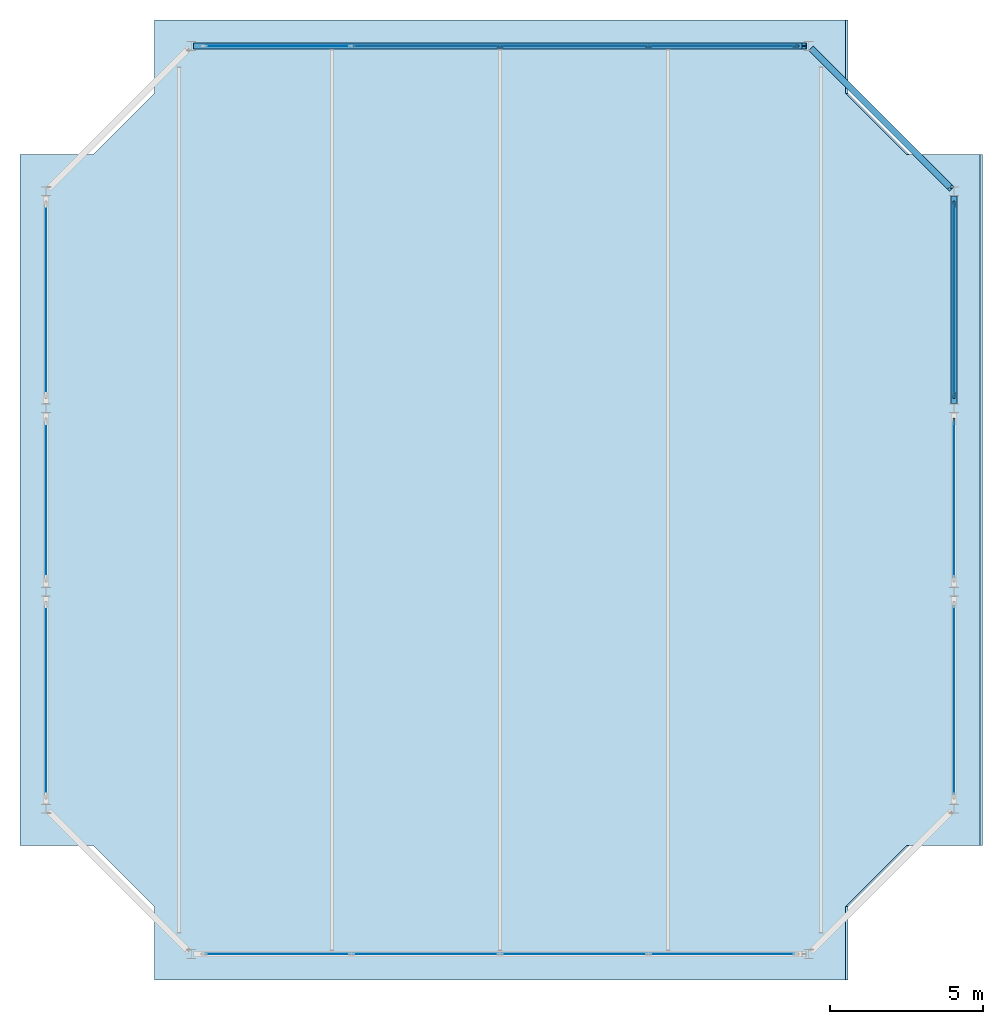
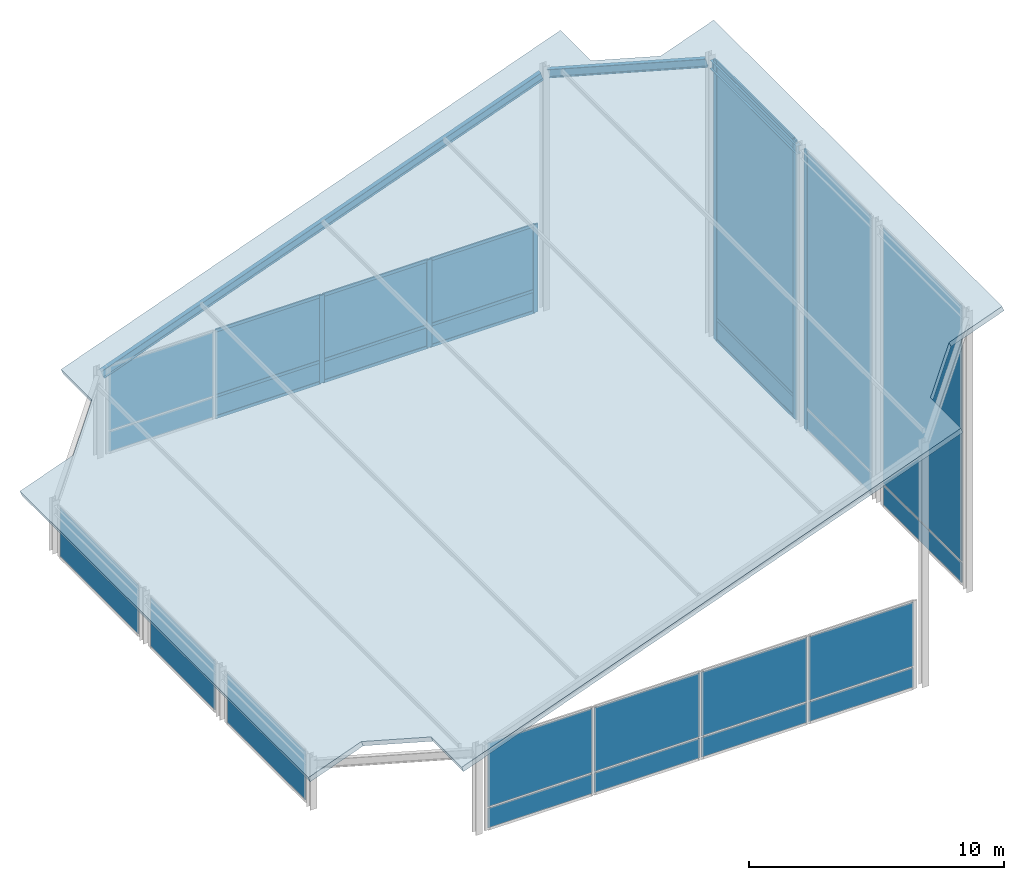
# One storey, part 4 of 8: 25 plates, 18 members, 3 beams, 1 slab, 8 elements without a shape of their own.
"""IFC4 building model written with IfcOpenShell, lengths in metres."""

from ifc_helpers import new_model, si_unit, direction, frame, origin, origin_2d, place, context, subcontext, project, spatial, polyline, rectangle, i_section, outline, extrude, source, transform, mapped, material, layer, layer_set, material_profile, profile_set, type_object, element, aggregate, save


model = new_model("IFC4")

# Units and contexts
model_context = context("Model", 3, precision=1e-05, world=origin(), true_north=direction((0.0, 1.0)))
body_context = subcontext(model_context, "Body", "Model", "MODEL_VIEW")
ifc_project = project(units=[si_unit("LENGTHUNIT", "METRE"), si_unit("AREAUNIT", "SQUARE_METRE"), si_unit("VOLUMEUNIT", "CUBIC_METRE"), si_unit("PLANEANGLEUNIT", "RADIAN"), si_unit("MASSUNIT", "GRAM", prefix="KILO"), si_unit("THERMODYNAMICTEMPERATUREUNIT", "KELVIN"), si_unit("POWERUNIT", "WATT")], contexts=[model_context])

# Site, building, storey
site_placement = place(None, origin())
site = spatial("IfcSite", under=ifc_project, at=site_placement, CompositionType="ELEMENT")
building_placement = place(site_placement, origin())
building = spatial("IfcBuilding", under=site, at=building_placement, Name="Qiaomeng Ring Towers", CompositionType="ELEMENT")
storey_placement = place(building_placement, frame((0.0, 0.0, 267.75)))
storey = spatial("IfcBuildingStorey", under=building, at=storey_placement, Name="Roof", CompositionType="ELEMENT", Elevation=267.75)

# Beams
ifc_material_1 = material(Name="Steel Q355B", Category="steel")
ifc_material_profile_1 = material_profile(ifc_material_1, i_section(OverallWidth=0.199951171875, OverallDepth=0.39990234375, WebThickness=0.008056640625, FlangeThickness=0.012939453125, FilletRadius=0.01611328125, at=origin_2d()), Name="HN 400x200x8x13")
ifc_profile_set_1 = profile_set([ifc_material_profile_1], Name="Steel Q355B")
beam_type = type_object("IfcBeamType", Name="STR-BM-HN400", PredefinedType="SPANDREL", material=ifc_profile_set_1)
shared_shape_1 = source(origin(), body_context, "Body", "SweptSolid", [
    extrude(i_section(OverallWidth=0.199951171875, OverallDepth=0.39990234375, WebThickness=0.008056640625, FlangeThickness=0.012939453125, FilletRadius=0.01611328125, at=origin_2d()), origin(), (0.0, 0.0, 1.0), 21.2041015625),
])
beam_1_placement = place(storey_placement, frame((28.949951171875, 37.85009765625, 11.227294921875), z_axis=(-0.938492428183, 0.0, -0.345299815007), x_axis=(0.0, -1.0, 0.0)))
element("IfcBeam", 1, at=beam_1_placement, inside=storey, type_object=beam_type, Name="Crown Slanted Cap Beam 7", PredefinedType="SPANDREL", context=body_context, shape_type="MappedRepresentation", body=[
    mapped(shared_shape_1, transform((0.0, 0.0, 0.0), x_axis=(1.0, 0.0, 0.0), y_axis=(0.0, 1.0, 0.0), z_axis=(0.0, 0.0, 1.0), scale=1.0)),
])
shared_shape_2 = source(origin(), body_context, "Body", "SweptSolid", [
    extrude(i_section(OverallWidth=0.199951171875, OverallDepth=0.39990234375, WebThickness=0.008056640625, FlangeThickness=0.012939453125, FilletRadius=0.01611328125, at=origin_2d()), origin(), (0.0, 0.0, 1.0), 6.631103515625),
])
beam_2_placement = place(storey_placement, frame((33.743896484375, 33.2060546875, 12.9912109375), z_axis=(-0.684324409038, 0.684324409038, -0.251793976081), x_axis=(-0.707106781187, -0.707106781187, 0.0)))
element("IfcBeam", 2, at=beam_2_placement, inside=storey, type_object=beam_type, Name="Crown Slanted Cap Beam 6", PredefinedType="SPANDREL", context=body_context, shape_type="MappedRepresentation", body=[
    mapped(shared_shape_2, transform((0.0, 0.0, 0.0), x_axis=(1.0, 0.0, 0.0), y_axis=(0.0, 1.0, 0.0), z_axis=(0.0, 0.0, 1.0), scale=1.0)),
])
shared_shape_3 = source(origin(), body_context, "Body", "SweptSolid", [
    extrude(i_section(OverallWidth=0.199951171875, OverallDepth=0.39990234375, WebThickness=0.008056640625, FlangeThickness=0.012939453125, FilletRadius=0.01611328125, at=origin_2d()), origin(), (0.0, 0.0, 1.0), 6.800048828125),
])
beam_3_placement = place(storey_placement, frame((33.85009765625, 26.14990234375, 13.0302734375), z_axis=(0.0, 1.0, 0.0), x_axis=(-1.0, 0.0, 0.0)))
element("IfcBeam", 3, at=beam_3_placement, inside=storey, type_object=beam_type, Name="Crown Slanted Cap Beam 5", PredefinedType="SPANDREL", context=body_context, shape_type="MappedRepresentation", body=[
    mapped(shared_shape_3, transform((0.0, 0.0, 0.0), x_axis=(1.0, 0.0, 0.0), y_axis=(0.0, 1.0, 0.0), z_axis=(0.0, 0.0, 1.0), scale=1.0)),
])

# Curtain wall, members
ifc_material_2 = material(Name="Fluorocarbon dark-grey aluminium", Category="aluminium")
ifc_layer_1 = layer(ifc_material_2, 0.169921875, Name="Fluorocarbon dark-grey aluminium")
ifc_layer_set_1 = layer_set([ifc_layer_1], Name="Fluorocarbon dark-grey aluminium")
curtain_wall_type = type_object("IfcCurtainWallType", Name="ARC-CW-6", PredefinedType="NOTDEFINED", material=ifc_layer_set_1)
curtain_wall_1_placement = place(storey_placement, origin())
curtain_wall_1 = element("IfcCurtainWall", 4, at=curtain_wall_1_placement, inside=storey, type_object=curtain_wall_type, Name="Roof Curtain Wall CW6", PredefinedType="NOTDEFINED")
ifc_material_profile_2 = material_profile(ifc_material_2, rectangle(XDim=0.080078125, YDim=0.219970703125, at=origin_2d()), Name="ALU MULL 80x220")
ifc_profile_set_2 = profile_set([ifc_material_profile_2], Name="Fluorocarbon dark-grey aluminium")
member_type_1 = type_object("IfcMemberType", Name="ARC-CWM-180", PredefinedType="MULLION", material=ifc_profile_set_2)
shared_shape_4 = source(origin(), body_context, "Body", "SweptSolid", [
    extrude(rectangle(XDim=0.080078125, YDim=0.219970703125, at=origin_2d()), origin(), (0.0, 0.0, 1.0), 4.21044921875),
])
member_1_placement = place(storey_placement, frame((28.669921875, 37.85009765625, 0.0), z_axis=(0.0, 0.0, 1.0), x_axis=(0.0, -1.0, 0.0)))
member_1 = element("IfcMember", 5, at=member_1_placement, type_object=member_type_1, Name="CW6 mullion 1", PredefinedType="MULLION", context=body_context, shape_type="MappedRepresentation", body=[
    mapped(shared_shape_4, transform((0.0, 0.0, 0.0), x_axis=(1.0, 0.0, 0.0), y_axis=(0.0, 1.0, 0.0), z_axis=(0.0, 0.0, 1.0), scale=1.0)),
])
member_2_placement = place(storey_placement, frame((23.85498046875, 37.85009765625, 0.0), z_axis=(0.0, 0.0, 1.0), x_axis=(0.0, -1.0, 0.0)))
member_2 = element("IfcMember", 6, at=member_2_placement, type_object=member_type_1, Name="CW6 mullion 2", PredefinedType="MULLION", context=body_context, shape_type="MappedRepresentation", body=[
    mapped(shared_shape_4, transform((0.0, 0.0, 0.0), x_axis=(1.0, 0.0, 0.0), y_axis=(0.0, 1.0, 0.0), z_axis=(0.0, 0.0, 1.0), scale=1.0)),
])
member_3_placement = place(storey_placement, frame((19.0, 37.85009765625, 0.0), z_axis=(0.0, 0.0, 1.0), x_axis=(0.0, -1.0, 0.0)))
member_3 = element("IfcMember", 7, at=member_3_placement, type_object=member_type_1, Name="CW6 mullion 3", PredefinedType="MULLION", context=body_context, shape_type="MappedRepresentation", body=[
    mapped(shared_shape_4, transform((0.0, 0.0, 0.0), x_axis=(1.0, 0.0, 0.0), y_axis=(0.0, 1.0, 0.0), z_axis=(0.0, 0.0, 1.0), scale=1.0)),
])
ifc_material_profile_3 = material_profile(ifc_material_2, rectangle(XDim=0.070068359375, YDim=0.139892578125, at=origin_2d()), Name="ALU TRAN 70x140")
ifc_profile_set_3 = profile_set([ifc_material_profile_3], Name="Fluorocarbon dark-grey aluminium")
member_type_2 = type_object("IfcMemberType", Name="ARC-CWT-140", PredefinedType="USERDEFINED", material=ifc_profile_set_3)
shared_shape_5 = source(origin(), body_context, "Body", "SweptSolid", [
    extrude(rectangle(XDim=0.070068359375, YDim=0.139892578125, at=origin_2d()), origin(), (0.0, 0.0, 1.0), 4.73486328125),
])
member_4_placement = place(storey_placement, frame((28.6298828125, 37.85009765625, 0.034912109375), z_axis=(-1.0, 0.0, 0.0), x_axis=(0.0, -1.0, 0.0)))
member_4 = element("IfcMember", 8, at=member_4_placement, type_object=member_type_2, Name="CW6 transom 1.1", ObjectType="TRANSOM", PredefinedType="USERDEFINED", context=body_context, shape_type="MappedRepresentation", body=[
    mapped(shared_shape_5, transform((0.0, 0.0, 0.0), x_axis=(1.0, 0.0, 0.0), y_axis=(0.0, 1.0, 0.0), z_axis=(0.0, 0.0, 1.0), scale=1.0)),
])
member_5_placement = place(storey_placement, frame((28.6298828125, 37.85009765625, 1.050048828125), z_axis=(-1.0, 0.0, 0.0), x_axis=(0.0, -1.0, 0.0)))
member_5 = element("IfcMember", 9, at=member_5_placement, type_object=member_type_2, Name="CW6 transom 1.2", ObjectType="TRANSOM", PredefinedType="USERDEFINED", context=body_context, shape_type="MappedRepresentation", body=[
    mapped(shared_shape_5, transform((0.0, 0.0, 0.0), x_axis=(1.0, 0.0, 0.0), y_axis=(0.0, 1.0, 0.0), z_axis=(0.0, 0.0, 1.0), scale=1.0)),
])
member_6_placement = place(storey_placement, frame((28.6298828125, 37.85009765625, 4.17529296875), z_axis=(-1.0, 0.0, 0.0), x_axis=(0.0, -1.0, 0.0)))
member_6 = element("IfcMember", 10, at=member_6_placement, type_object=member_type_2, Name="CW6 transom 1.3", ObjectType="TRANSOM", PredefinedType="USERDEFINED", context=body_context, shape_type="MappedRepresentation", body=[
    mapped(shared_shape_5, transform((0.0, 0.0, 0.0), x_axis=(1.0, 0.0, 0.0), y_axis=(0.0, 1.0, 0.0), z_axis=(0.0, 0.0, 1.0), scale=1.0)),
])
shared_shape_6 = source(origin(), body_context, "Body", "SweptSolid", [
    extrude(rectangle(XDim=0.070068359375, YDim=0.139892578125, at=origin_2d()), origin(), (0.0, 0.0, 1.0), 4.77490234375),
])
member_7_placement = place(storey_placement, frame((23.81494140625, 37.85009765625, 0.034912109375), z_axis=(-1.0, 0.0, 0.0), x_axis=(0.0, -1.0, 0.0)))
member_7 = element("IfcMember", 11, at=member_7_placement, type_object=member_type_2, Name="CW6 transom 2.1", ObjectType="TRANSOM", PredefinedType="USERDEFINED", context=body_context, shape_type="MappedRepresentation", body=[
    mapped(shared_shape_6, transform((0.0, 0.0, 0.0), x_axis=(1.0, 0.0, 0.0), y_axis=(0.0, 1.0, 0.0), z_axis=(0.0, 0.0, 1.0), scale=1.0)),
])
member_8_placement = place(storey_placement, frame((23.81494140625, 37.85009765625, 1.050048828125), z_axis=(-1.0, 0.0, 0.0), x_axis=(0.0, -1.0, 0.0)))
member_8 = element("IfcMember", 12, at=member_8_placement, type_object=member_type_2, Name="CW6 transom 2.2", ObjectType="TRANSOM", PredefinedType="USERDEFINED", context=body_context, shape_type="MappedRepresentation", body=[
    mapped(shared_shape_6, transform((0.0, 0.0, 0.0), x_axis=(1.0, 0.0, 0.0), y_axis=(0.0, 1.0, 0.0), z_axis=(0.0, 0.0, 1.0), scale=1.0)),
])
member_9_placement = place(storey_placement, frame((23.81494140625, 37.85009765625, 4.17529296875), z_axis=(-1.0, 0.0, 0.0), x_axis=(0.0, -1.0, 0.0)))
member_9 = element("IfcMember", 13, at=member_9_placement, type_object=member_type_2, Name="CW6 transom 2.3", ObjectType="TRANSOM", PredefinedType="USERDEFINED", context=body_context, shape_type="MappedRepresentation", body=[
    mapped(shared_shape_6, transform((0.0, 0.0, 0.0), x_axis=(1.0, 0.0, 0.0), y_axis=(0.0, 1.0, 0.0), z_axis=(0.0, 0.0, 1.0), scale=1.0)),
])
member_10_placement = place(storey_placement, frame((18.9599609375, 37.85009765625, 0.034912109375), z_axis=(-1.0, 0.0, 0.0), x_axis=(0.0, -1.0, 0.0)))
member_10 = element("IfcMember", 14, at=member_10_placement, type_object=member_type_2, Name="CW6 transom 3.1", ObjectType="TRANSOM", PredefinedType="USERDEFINED", context=body_context, shape_type="MappedRepresentation", body=[
    mapped(shared_shape_6, transform((0.0, 0.0, 0.0), x_axis=(1.0, 0.0, 0.0), y_axis=(0.0, 1.0, 0.0), z_axis=(0.0, 0.0, 1.0), scale=1.0)),
])
member_11_placement = place(storey_placement, frame((18.9599609375, 37.85009765625, 1.050048828125), z_axis=(-1.0, 0.0, 0.0), x_axis=(0.0, -1.0, 0.0)))
member_11 = element("IfcMember", 15, at=member_11_placement, type_object=member_type_2, Name="CW6 transom 3.2", ObjectType="TRANSOM", PredefinedType="USERDEFINED", context=body_context, shape_type="MappedRepresentation", body=[
    mapped(shared_shape_6, transform((0.0, 0.0, 0.0), x_axis=(1.0, 0.0, 0.0), y_axis=(0.0, 1.0, 0.0), z_axis=(0.0, 0.0, 1.0), scale=1.0)),
])
member_12_placement = place(storey_placement, frame((18.9599609375, 37.85009765625, 4.17529296875), z_axis=(-1.0, 0.0, 0.0), x_axis=(0.0, -1.0, 0.0)))
member_12 = element("IfcMember", 16, at=member_12_placement, type_object=member_type_2, Name="CW6 transom 3.3", ObjectType="TRANSOM", PredefinedType="USERDEFINED", context=body_context, shape_type="MappedRepresentation", body=[
    mapped(shared_shape_6, transform((0.0, 0.0, 0.0), x_axis=(1.0, 0.0, 0.0), y_axis=(0.0, 1.0, 0.0), z_axis=(0.0, 0.0, 1.0), scale=1.0)),
])

# Curtain wall, member
curtain_wall_2_placement = place(storey_placement, origin())
curtain_wall_2 = element("IfcCurtainWall", 17, at=curtain_wall_2_placement, inside=storey, type_object=curtain_wall_type, Name="Roof Curtain Wall CW6", PredefinedType="NOTDEFINED")
shared_shape_7 = source(origin(), body_context, "Body", "SweptSolid", [
    extrude(rectangle(XDim=0.080078125, YDim=0.219970703125, at=origin_2d()), origin(), (0.0, 0.0, 1.0), 13.39013671875),
])
member_13_placement = place(storey_placement, frame((33.85009765625, 25.570068359375, 0.0), z_axis=(0.0, 0.0, 1.0), x_axis=(-1.0, 0.0, 0.0)))
member_13 = element("IfcMember", 18, at=member_13_placement, type_object=member_type_1, Name="CW6 mullion 2", PredefinedType="MULLION", context=body_context, shape_type="MappedRepresentation", body=[
    mapped(shared_shape_7, transform((0.0, 0.0, 0.0), x_axis=(1.0, 0.0, 0.0), y_axis=(0.0, 1.0, 0.0), z_axis=(0.0, 0.0, 1.0), scale=1.0)),
])

# Curtain wall, members
curtain_wall_3_placement = place(storey_placement, origin())
curtain_wall_3 = element("IfcCurtainWall", 19, at=curtain_wall_3_placement, inside=storey, type_object=curtain_wall_type, Name="Roof Curtain Wall CW6", PredefinedType="NOTDEFINED")
member_14_placement = place(storey_placement, frame((33.85009765625, 26.429931640625, 0.0), z_axis=(0.0, 0.0, 1.0), x_axis=(-1.0, 0.0, 0.0)))
member_14 = element("IfcMember", 20, at=member_14_placement, type_object=member_type_1, Name="CW6 mullion 1", PredefinedType="MULLION", context=body_context, shape_type="MappedRepresentation", body=[
    mapped(shared_shape_7, transform((0.0, 0.0, 0.0), x_axis=(1.0, 0.0, 0.0), y_axis=(0.0, 1.0, 0.0), z_axis=(0.0, 0.0, 1.0), scale=1.0)),
])
member_15_placement = place(storey_placement, frame((33.85009765625, 32.669921875, 0.0), z_axis=(0.0, 0.0, 1.0), x_axis=(-1.0, 0.0, 0.0)))
member_15 = element("IfcMember", 21, at=member_15_placement, type_object=member_type_1, Name="CW6 mullion 2", PredefinedType="MULLION", context=body_context, shape_type="MappedRepresentation", body=[
    mapped(shared_shape_7, transform((0.0, 0.0, 0.0), x_axis=(1.0, 0.0, 0.0), y_axis=(0.0, 1.0, 0.0), z_axis=(0.0, 0.0, 1.0), scale=1.0)),
])
shared_shape_8 = source(origin(), body_context, "Body", "SweptSolid", [
    extrude(rectangle(XDim=0.070068359375, YDim=0.139892578125, at=origin_2d()), origin(), (0.0, 0.0, 1.0), 6.159912109375),
])
member_16_placement = place(storey_placement, frame((33.85009765625, 26.469970703125, 0.034912109375), z_axis=(0.0, 1.0, 0.0), x_axis=(-1.0, 0.0, 0.0)))
member_16 = element("IfcMember", 22, at=member_16_placement, type_object=member_type_2, Name="CW6 transom 1.1", ObjectType="TRANSOM", PredefinedType="USERDEFINED", context=body_context, shape_type="MappedRepresentation", body=[
    mapped(shared_shape_8, transform((0.0, 0.0, 0.0), x_axis=(1.0, 0.0, 0.0), y_axis=(0.0, 1.0, 0.0), z_axis=(0.0, 0.0, 1.0), scale=1.0)),
])
member_17_placement = place(storey_placement, frame((33.85009765625, 26.469970703125, 1.050048828125), z_axis=(0.0, 1.0, 0.0), x_axis=(-1.0, 0.0, 0.0)))
member_17 = element("IfcMember", 23, at=member_17_placement, type_object=member_type_2, Name="CW6 transom 1.2", ObjectType="TRANSOM", PredefinedType="USERDEFINED", context=body_context, shape_type="MappedRepresentation", body=[
    mapped(shared_shape_8, transform((0.0, 0.0, 0.0), x_axis=(1.0, 0.0, 0.0), y_axis=(0.0, 1.0, 0.0), z_axis=(0.0, 0.0, 1.0), scale=1.0)),
])
member_18_placement = place(storey_placement, frame((33.85009765625, 26.469970703125, 13.355224609375), z_axis=(0.0, 1.0, 0.0), x_axis=(-1.0, 0.0, 0.0)))
member_18 = element("IfcMember", 24, at=member_18_placement, type_object=member_type_2, Name="CW6 transom 1.3", ObjectType="TRANSOM", PredefinedType="USERDEFINED", context=body_context, shape_type="MappedRepresentation", body=[
    mapped(shared_shape_8, transform((0.0, 0.0, 0.0), x_axis=(1.0, 0.0, 0.0), y_axis=(0.0, 1.0, 0.0), z_axis=(0.0, 0.0, 1.0), scale=1.0)),
])

# Slab
ifc_material_3 = material(Name="Concrete C40", Category="concrete")
ifc_layer_2 = layer(ifc_material_3, 0.25, Name="Concrete C40")
ifc_layer_set_2 = layer_set([ifc_layer_2], Name="Concrete C40")
slab_type = type_object("IfcSlabType", Name="STR-SL-ROOF", PredefinedType="ROOF", material=ifc_layer_set_2)
slab_placement = place(storey_placement, frame((7.699951171875, 7.300048828125, 4.06884765625), z_axis=(-0.345299192634, 0.0, 0.938492657172), x_axis=(0.938492657172, 0.0, 0.345299192634)))
element("IfcSlab", 25, at=slab_placement, inside=storey, type_object=slab_type, Name="Tower 1 Slanted-Cut Closed Crown Roof Slab", PredefinedType="ROOF", context=body_context, shape_type="SweptSolid", body=[
    extrude(outline(polyline([(0.0, 0.0), (24.081252557705177, 0.0), (24.081252557705177, 2.39990234375), (26.212322776004562, 4.39990234375), (28.769532248602413, 4.39990234375), (28.769532248602413, 27.0), (26.212322776004562, 27.0), (24.081252557705177, 29.0), (24.081252557705177, 31.39990234375), (0.0, 31.39990234375), (0.0, 29.0), (-2.131070218299386, 27.0), (-4.688279690897238, 27.0), (-4.688279690897238, 4.39990234375), (-2.131070218299386, 4.39990234375), (0.0, 2.39990234375), (0.0, 0.0)])), origin(), (0.0, 0.0, -1.0), 0.25),
])

# Plate
ifc_material_4 = material(Name="Low-E dark-grey laminated double glazing", Category="glass")
ifc_layer_3 = layer(ifc_material_4, 0.028076171875, Name="Low-E dark-grey laminated double glazing")
ifc_layer_set_3 = layer_set([ifc_layer_3], Name="Low-E dark-grey laminated double glazing")
plate_type = type_object("IfcPlateType", Name="ARC-CWP-DARK", PredefinedType="CURTAIN_PANEL", material=ifc_layer_set_3)
shared_shape_9 = source(origin(), body_context, "Body", "SweptSolid", [
    extrude(rectangle(XDim=5.06005859375, YDim=0.028076171875, at=origin_2d()), origin(), (0.0, 0.0, 1.0), 0.945068359375),
])
plate_1_placement = place(storey_placement, frame((33.85009765625, 23.0, 0.06982421875), z_axis=(0.0, 0.0, 1.0), x_axis=(0.0, 1.0, 0.0)))
plate_1 = element("IfcPlate", 26, at=plate_1_placement, type_object=plate_type, Name="CW6 panel 1.1", PredefinedType="CURTAIN_PANEL", context=body_context, shape_type="MappedRepresentation", body=[
    mapped(shared_shape_9, transform((0.0, 0.0, 0.0), x_axis=(1.0, 0.0, 0.0), y_axis=(0.0, 1.0, 0.0), z_axis=(0.0, 0.0, 1.0), scale=1.0)),
])

# Curtain wall, plates
curtain_wall_4_placement = place(storey_placement, origin())
curtain_wall_4 = element("IfcCurtainWall", 27, at=curtain_wall_4_placement, inside=storey, type_object=curtain_wall_type, Name="Roof Curtain Wall CW6", PredefinedType="NOTDEFINED")
shared_shape_10 = source(origin(), body_context, "Body", "SweptSolid", [
    extrude(rectangle(XDim=4.735107421875, YDim=0.028076171875, at=origin_2d()), origin(), (0.0, 0.0, 1.0), 0.945068359375),
])
plate_2_placement = place(storey_placement, frame((11.737548828125, 8.14990234375, 0.06982421875), z_axis=(0.0, 0.0, 1.0), x_axis=(1.0, 0.0, 0.0)))
plate_2 = element("IfcPlate", 28, at=plate_2_placement, type_object=plate_type, Name="CW6 panel 1.1", PredefinedType="CURTAIN_PANEL", context=body_context, shape_type="MappedRepresentation", body=[
    mapped(shared_shape_10, transform((0.0, 0.0, 0.0), x_axis=(1.0, 0.0, 0.0), y_axis=(0.0, 1.0, 0.0), z_axis=(0.0, 0.0, 1.0), scale=1.0)),
])
plate_3_placement = place(storey_placement, frame((26.262451171875, 8.14990234375, 0.06982421875), z_axis=(0.0, 0.0, 1.0), x_axis=(1.0, 0.0, 0.0)))
plate_3 = element("IfcPlate", 29, at=plate_3_placement, type_object=plate_type, Name="CW6 panel 4.1", PredefinedType="CURTAIN_PANEL", context=body_context, shape_type="MappedRepresentation", body=[
    mapped(shared_shape_10, transform((0.0, 0.0, 0.0), x_axis=(1.0, 0.0, 0.0), y_axis=(0.0, 1.0, 0.0), z_axis=(0.0, 0.0, 1.0), scale=1.0)),
])

# Plate
plate_4_placement = place(storey_placement, frame((26.262451171875, 37.85009765625, 0.06982421875), z_axis=(0.0, 0.0, 1.0), x_axis=(-1.0, 0.0, 0.0)))
plate_4 = element("IfcPlate", 30, at=plate_4_placement, type_object=plate_type, Name="CW6 panel 1.1", PredefinedType="CURTAIN_PANEL", context=body_context, shape_type="MappedRepresentation", body=[
    mapped(shared_shape_10, transform((0.0, 0.0, 0.0), x_axis=(1.0, 0.0, 0.0), y_axis=(0.0, 1.0, 0.0), z_axis=(0.0, 0.0, 1.0), scale=1.0)),
])

plate_5_placement = place(storey_placement, frame((11.737548828125, 37.85009765625, 0.06982421875), z_axis=(0.0, 0.0, 1.0), x_axis=(-1.0, 0.0, 0.0)))
plate_5 = element("IfcPlate", 31, at=plate_5_placement, type_object=plate_type, Name="CW6 panel 4.1", PredefinedType="CURTAIN_PANEL", context=body_context, shape_type="MappedRepresentation", body=[
    mapped(shared_shape_10, transform((0.0, 0.0, 0.0), x_axis=(1.0, 0.0, 0.0), y_axis=(0.0, 1.0, 0.0), z_axis=(0.0, 0.0, 1.0), scale=1.0)),
])

shared_shape_11 = source(origin(), body_context, "Body", "SweptSolid", [
    extrude(rectangle(XDim=4.735107421875, YDim=0.028076171875, at=origin_2d()), origin(), (0.0, 0.0, 1.0), 3.055419921875),
])
plate_6_placement = place(storey_placement, frame((11.737548828125, 8.14990234375, 1.0849609375), z_axis=(0.0, 0.0, 1.0), x_axis=(1.0, 0.0, 0.0)))
plate_6 = element("IfcPlate", 32, at=plate_6_placement, type_object=plate_type, Name="CW6 panel 1.2", PredefinedType="CURTAIN_PANEL", context=body_context, shape_type="MappedRepresentation", body=[
    mapped(shared_shape_11, transform((0.0, 0.0, 0.0), x_axis=(1.0, 0.0, 0.0), y_axis=(0.0, 1.0, 0.0), z_axis=(0.0, 0.0, 1.0), scale=1.0)),
])

plate_7_placement = place(storey_placement, frame((26.262451171875, 8.14990234375, 1.0849609375), z_axis=(0.0, 0.0, 1.0), x_axis=(1.0, 0.0, 0.0)))
plate_7 = element("IfcPlate", 33, at=plate_7_placement, type_object=plate_type, Name="CW6 panel 4.2", PredefinedType="CURTAIN_PANEL", context=body_context, shape_type="MappedRepresentation", body=[
    mapped(shared_shape_11, transform((0.0, 0.0, 0.0), x_axis=(1.0, 0.0, 0.0), y_axis=(0.0, 1.0, 0.0), z_axis=(0.0, 0.0, 1.0), scale=1.0)),
])

plate_8_placement = place(storey_placement, frame((26.262451171875, 37.85009765625, 1.0849609375), z_axis=(0.0, 0.0, 1.0), x_axis=(-1.0, 0.0, 0.0)))
plate_8 = element("IfcPlate", 34, at=plate_8_placement, type_object=plate_type, Name="CW6 panel 1.2", PredefinedType="CURTAIN_PANEL", context=body_context, shape_type="MappedRepresentation", body=[
    mapped(shared_shape_11, transform((0.0, 0.0, 0.0), x_axis=(1.0, 0.0, 0.0), y_axis=(0.0, 1.0, 0.0), z_axis=(0.0, 0.0, 1.0), scale=1.0)),
])

plate_9_placement = place(storey_placement, frame((11.737548828125, 37.85009765625, 1.0849609375), z_axis=(0.0, 0.0, 1.0), x_axis=(-1.0, 0.0, 0.0)))
plate_9 = element("IfcPlate", 35, at=plate_9_placement, type_object=plate_type, Name="CW6 panel 4.2", PredefinedType="CURTAIN_PANEL", context=body_context, shape_type="MappedRepresentation", body=[
    mapped(shared_shape_11, transform((0.0, 0.0, 0.0), x_axis=(1.0, 0.0, 0.0), y_axis=(0.0, 1.0, 0.0), z_axis=(0.0, 0.0, 1.0), scale=1.0)),
])

shared_shape_12 = source(origin(), body_context, "Body", "SweptSolid", [
    extrude(rectangle(XDim=4.77490234375, YDim=0.028076171875, at=origin_2d()), origin(), (0.0, 0.0, 1.0), 0.945068359375),
])
plate_10_placement = place(storey_placement, frame((16.572509765625, 8.14990234375, 0.06982421875), z_axis=(0.0, 0.0, 1.0), x_axis=(1.0, 0.0, 0.0)))
plate_10 = element("IfcPlate", 36, at=plate_10_placement, type_object=plate_type, Name="CW6 panel 2.1", PredefinedType="CURTAIN_PANEL", context=body_context, shape_type="MappedRepresentation", body=[
    mapped(shared_shape_12, transform((0.0, 0.0, 0.0), x_axis=(1.0, 0.0, 0.0), y_axis=(0.0, 1.0, 0.0), z_axis=(0.0, 0.0, 1.0), scale=1.0)),
])

plate_11_placement = place(storey_placement, frame((21.427490234375, 8.14990234375, 0.06982421875), z_axis=(0.0, 0.0, 1.0), x_axis=(1.0, 0.0, 0.0)))
plate_11 = element("IfcPlate", 37, at=plate_11_placement, type_object=plate_type, Name="CW6 panel 3.1", PredefinedType="CURTAIN_PANEL", context=body_context, shape_type="MappedRepresentation", body=[
    mapped(shared_shape_12, transform((0.0, 0.0, 0.0), x_axis=(1.0, 0.0, 0.0), y_axis=(0.0, 1.0, 0.0), z_axis=(0.0, 0.0, 1.0), scale=1.0)),
])

plate_12_placement = place(storey_placement, frame((21.427490234375, 37.85009765625, 0.06982421875), z_axis=(0.0, 0.0, 1.0), x_axis=(-1.0, 0.0, 0.0)))
plate_12 = element("IfcPlate", 38, at=plate_12_placement, type_object=plate_type, Name="CW6 panel 2.1", PredefinedType="CURTAIN_PANEL", context=body_context, shape_type="MappedRepresentation", body=[
    mapped(shared_shape_12, transform((0.0, 0.0, 0.0), x_axis=(1.0, 0.0, 0.0), y_axis=(0.0, 1.0, 0.0), z_axis=(0.0, 0.0, 1.0), scale=1.0)),
])

plate_13_placement = place(storey_placement, frame((16.572509765625, 37.85009765625, 0.06982421875), z_axis=(0.0, 0.0, 1.0), x_axis=(-1.0, 0.0, 0.0)))
plate_13 = element("IfcPlate", 39, at=plate_13_placement, type_object=plate_type, Name="CW6 panel 3.1", PredefinedType="CURTAIN_PANEL", context=body_context, shape_type="MappedRepresentation", body=[
    mapped(shared_shape_12, transform((0.0, 0.0, 0.0), x_axis=(1.0, 0.0, 0.0), y_axis=(0.0, 1.0, 0.0), z_axis=(0.0, 0.0, 1.0), scale=1.0)),
])

shared_shape_13 = source(origin(), body_context, "Body", "SweptSolid", [
    extrude(rectangle(XDim=4.77490234375, YDim=0.028076171875, at=origin_2d()), origin(), (0.0, 0.0, 1.0), 3.055419921875),
])
plate_14_placement = place(storey_placement, frame((16.572509765625, 8.14990234375, 1.0849609375), z_axis=(0.0, 0.0, 1.0), x_axis=(1.0, 0.0, 0.0)))
plate_14 = element("IfcPlate", 40, at=plate_14_placement, type_object=plate_type, Name="CW6 panel 2.2", PredefinedType="CURTAIN_PANEL", context=body_context, shape_type="MappedRepresentation", body=[
    mapped(shared_shape_13, transform((0.0, 0.0, 0.0), x_axis=(1.0, 0.0, 0.0), y_axis=(0.0, 1.0, 0.0), z_axis=(0.0, 0.0, 1.0), scale=1.0)),
])

plate_15_placement = place(storey_placement, frame((21.427490234375, 8.14990234375, 1.0849609375), z_axis=(0.0, 0.0, 1.0), x_axis=(1.0, 0.0, 0.0)))
plate_15 = element("IfcPlate", 41, at=plate_15_placement, type_object=plate_type, Name="CW6 panel 3.2", PredefinedType="CURTAIN_PANEL", context=body_context, shape_type="MappedRepresentation", body=[
    mapped(shared_shape_13, transform((0.0, 0.0, 0.0), x_axis=(1.0, 0.0, 0.0), y_axis=(0.0, 1.0, 0.0), z_axis=(0.0, 0.0, 1.0), scale=1.0)),
])

aggregate(curtain_wall_4, [plate_2, plate_6, plate_10, plate_14, plate_11, plate_15, plate_3, plate_7])

plate_16_placement = place(storey_placement, frame((21.427490234375, 37.85009765625, 1.0849609375), z_axis=(0.0, 0.0, 1.0), x_axis=(-1.0, 0.0, 0.0)))
plate_16 = element("IfcPlate", 42, at=plate_16_placement, type_object=plate_type, Name="CW6 panel 2.2", PredefinedType="CURTAIN_PANEL", context=body_context, shape_type="MappedRepresentation", body=[
    mapped(shared_shape_13, transform((0.0, 0.0, 0.0), x_axis=(1.0, 0.0, 0.0), y_axis=(0.0, 1.0, 0.0), z_axis=(0.0, 0.0, 1.0), scale=1.0)),
])

plate_17_placement = place(storey_placement, frame((16.572509765625, 37.85009765625, 1.0849609375), z_axis=(0.0, 0.0, 1.0), x_axis=(-1.0, 0.0, 0.0)))
plate_17 = element("IfcPlate", 43, at=plate_17_placement, type_object=plate_type, Name="CW6 panel 3.2", PredefinedType="CURTAIN_PANEL", context=body_context, shape_type="MappedRepresentation", body=[
    mapped(shared_shape_13, transform((0.0, 0.0, 0.0), x_axis=(1.0, 0.0, 0.0), y_axis=(0.0, 1.0, 0.0), z_axis=(0.0, 0.0, 1.0), scale=1.0)),
])

aggregate(curtain_wall_1, [member_1, member_2, member_3, member_4, member_5, member_6, plate_4, plate_8, member_7, member_8, member_9, plate_12, plate_16, member_10, member_11, member_12, plate_13, plate_17, plate_5, plate_9])

# Curtain wall, plate
curtain_wall_5_placement = place(storey_placement, origin())
curtain_wall_5 = element("IfcCurtainWall", 44, at=curtain_wall_5_placement, inside=storey, type_object=curtain_wall_type, Name="Roof Curtain Wall CW6", PredefinedType="NOTDEFINED")
shared_shape_14 = source(origin(), body_context, "Body", "SweptSolid", [
    extrude(rectangle(XDim=6.159912109375, YDim=0.028076171875, at=origin_2d()), origin(), (0.0, 0.0, 1.0), 0.945068359375),
])
plate_18_placement = place(storey_placement, frame((33.85009765625, 16.449951171875, 0.06982421875), z_axis=(0.0, 0.0, 1.0), x_axis=(0.0, 1.0, 0.0)))
plate_18 = element("IfcPlate", 45, at=plate_18_placement, type_object=plate_type, Name="CW6 panel 1.1", PredefinedType="CURTAIN_PANEL", context=body_context, shape_type="MappedRepresentation", body=[
    mapped(shared_shape_14, transform((0.0, 0.0, 0.0), x_axis=(1.0, 0.0, 0.0), y_axis=(0.0, 1.0, 0.0), z_axis=(0.0, 0.0, 1.0), scale=1.0)),
])

# Plate
plate_19_placement = place(storey_placement, frame((33.85009765625, 29.550048828125, 0.06982421875), z_axis=(0.0, 0.0, 1.0), x_axis=(0.0, 1.0, 0.0)))
plate_19 = element("IfcPlate", 46, at=plate_19_placement, type_object=plate_type, Name="CW6 panel 1.1", PredefinedType="CURTAIN_PANEL", context=body_context, shape_type="MappedRepresentation", body=[
    mapped(shared_shape_14, transform((0.0, 0.0, 0.0), x_axis=(1.0, 0.0, 0.0), y_axis=(0.0, 1.0, 0.0), z_axis=(0.0, 0.0, 1.0), scale=1.0)),
])

shared_shape_15 = source(origin(), body_context, "Body", "SweptSolid", [
    extrude(rectangle(XDim=6.159912109375, YDim=0.028076171875, at=origin_2d()), origin(), (0.0, 0.0, 1.0), 12.235107421875),
])
plate_20_placement = place(storey_placement, frame((33.85009765625, 16.449951171875, 1.0849609375), z_axis=(0.0, 0.0, 1.0), x_axis=(0.0, 1.0, 0.0)))
plate_20 = element("IfcPlate", 47, at=plate_20_placement, type_object=plate_type, Name="CW6 panel 1.2", PredefinedType="CURTAIN_PANEL", context=body_context, shape_type="MappedRepresentation", body=[
    mapped(shared_shape_15, transform((0.0, 0.0, 0.0), x_axis=(1.0, 0.0, 0.0), y_axis=(0.0, 1.0, 0.0), z_axis=(0.0, 0.0, 1.0), scale=1.0)),
])

aggregate(curtain_wall_5, [plate_18, plate_20])

plate_21_placement = place(storey_placement, frame((33.85009765625, 29.550048828125, 1.0849609375), z_axis=(0.0, 0.0, 1.0), x_axis=(0.0, 1.0, 0.0)))
plate_21 = element("IfcPlate", 48, at=plate_21_placement, type_object=plate_type, Name="CW6 panel 1.2", PredefinedType="CURTAIN_PANEL", context=body_context, shape_type="MappedRepresentation", body=[
    mapped(shared_shape_15, transform((0.0, 0.0, 0.0), x_axis=(1.0, 0.0, 0.0), y_axis=(0.0, 1.0, 0.0), z_axis=(0.0, 0.0, 1.0), scale=1.0)),
])

aggregate(curtain_wall_3, [member_14, member_15, member_16, member_17, member_18, plate_19, plate_21])

shared_shape_16 = source(origin(), body_context, "Body", "SweptSolid", [
    extrude(rectangle(XDim=5.06005859375, YDim=0.028076171875, at=origin_2d()), origin(), (0.0, 0.0, 1.0), 12.235107421875),
])
plate_22_placement = place(storey_placement, frame((33.85009765625, 23.0, 1.0849609375), z_axis=(0.0, 0.0, 1.0), x_axis=(0.0, 1.0, 0.0)))
plate_22 = element("IfcPlate", 49, at=plate_22_placement, type_object=plate_type, Name="CW6 panel 1.2", PredefinedType="CURTAIN_PANEL", context=body_context, shape_type="MappedRepresentation", body=[
    mapped(shared_shape_16, transform((0.0, 0.0, 0.0), x_axis=(1.0, 0.0, 0.0), y_axis=(0.0, 1.0, 0.0), z_axis=(0.0, 0.0, 1.0), scale=1.0)),
])

aggregate(curtain_wall_2, [member_13, plate_1, plate_22])

# Curtain wall, plate
curtain_wall_6_placement = place(storey_placement, origin())
curtain_wall_6 = element("IfcCurtainWall", 50, at=curtain_wall_6_placement, inside=storey, type_object=curtain_wall_type, Name="Roof Curtain Wall CW6", PredefinedType="NOTDEFINED")
shared_shape_17 = source(origin(), body_context, "Body", "SweptSolid", [
    extrude(rectangle(XDim=6.159912109375, YDim=0.028076171875, at=origin_2d()), origin(), (0.0, 0.0, 1.0), 2.32275390625),
])
plate_23_placement = place(storey_placement, frame((4.14990234375, 29.550048828125, 0.070068359375), z_axis=(0.0, 0.0, 1.0), x_axis=(0.0, -1.0, 0.0)))
plate_23 = element("IfcPlate", 51, at=plate_23_placement, type_object=plate_type, Name="CW6 panel 1.1", PredefinedType="CURTAIN_PANEL", context=body_context, shape_type="MappedRepresentation", body=[
    mapped(shared_shape_17, transform((0.0, 0.0, 0.0), x_axis=(1.0, 0.0, 0.0), y_axis=(0.0, 1.0, 0.0), z_axis=(0.0, 0.0, 1.0), scale=1.0)),
])
aggregate(curtain_wall_6, [plate_23])

curtain_wall_7_placement = place(storey_placement, origin())
curtain_wall_7 = element("IfcCurtainWall", 52, at=curtain_wall_7_placement, inside=storey, type_object=curtain_wall_type, Name="Roof Curtain Wall CW6", PredefinedType="NOTDEFINED")
plate_24_placement = place(storey_placement, frame((4.14990234375, 16.449951171875, 0.070068359375), z_axis=(0.0, 0.0, 1.0), x_axis=(0.0, -1.0, 0.0)))
plate_24 = element("IfcPlate", 53, at=plate_24_placement, type_object=plate_type, Name="CW6 panel 1.1", PredefinedType="CURTAIN_PANEL", context=body_context, shape_type="MappedRepresentation", body=[
    mapped(shared_shape_17, transform((0.0, 0.0, 0.0), x_axis=(1.0, 0.0, 0.0), y_axis=(0.0, 1.0, 0.0), z_axis=(0.0, 0.0, 1.0), scale=1.0)),
])
aggregate(curtain_wall_7, [plate_24])

curtain_wall_8_placement = place(storey_placement, origin())
curtain_wall_8 = element("IfcCurtainWall", 54, at=curtain_wall_8_placement, inside=storey, type_object=curtain_wall_type, Name="Roof Curtain Wall CW6", PredefinedType="NOTDEFINED")
shared_shape_18 = source(origin(), body_context, "Body", "SweptSolid", [
    extrude(rectangle(XDim=5.06005859375, YDim=0.028076171875, at=origin_2d()), origin(), (0.0, 0.0, 1.0), 2.32275390625),
])
plate_25_placement = place(storey_placement, frame((4.14990234375, 23.0, 0.070068359375), z_axis=(0.0, 0.0, 1.0), x_axis=(0.0, -1.0, 0.0)))
plate_25 = element("IfcPlate", 55, at=plate_25_placement, type_object=plate_type, Name="CW6 panel 1.1", PredefinedType="CURTAIN_PANEL", context=body_context, shape_type="MappedRepresentation", body=[
    mapped(shared_shape_18, transform((0.0, 0.0, 0.0), x_axis=(1.0, 0.0, 0.0), y_axis=(0.0, 1.0, 0.0), z_axis=(0.0, 0.0, 1.0), scale=1.0)),
])
aggregate(curtain_wall_8, [plate_25])

save(model, "model.ifc")
